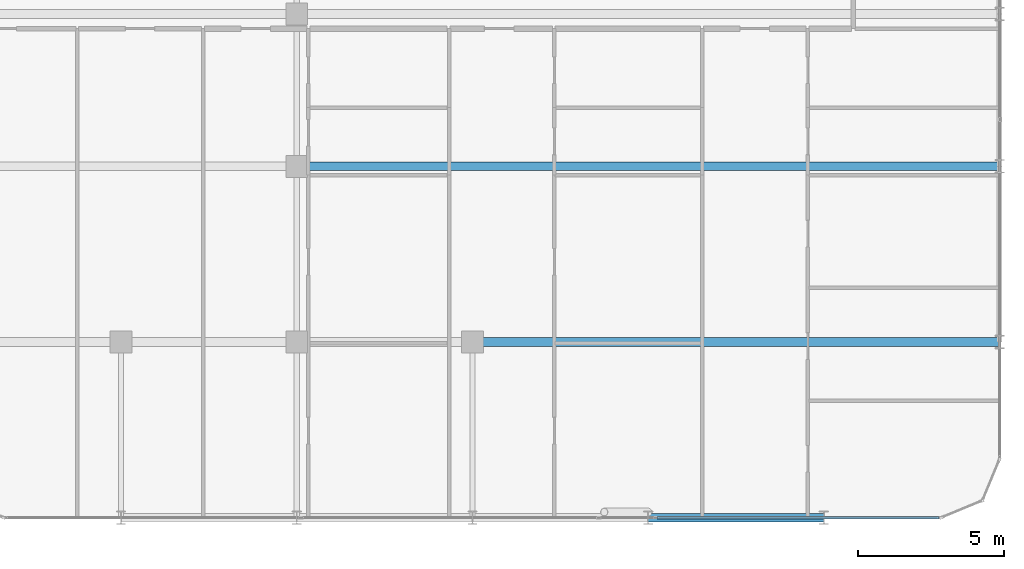
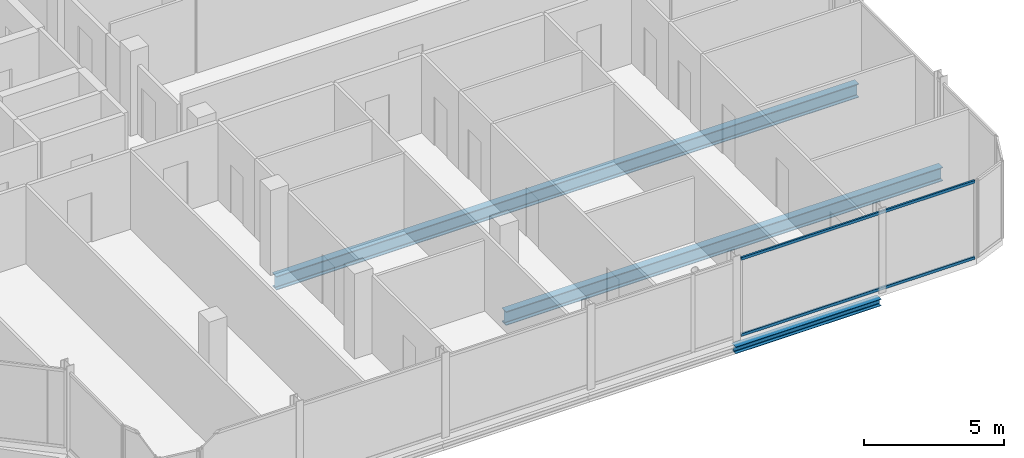
# One storey, part 11 of 29: 3 beams, 2 members, 1 element without a shape of its own.
"""IFC4 building model written with IfcOpenShell, lengths in metres."""

from ifc_helpers import new_model, si_unit, direction, frame, origin, origin_2d, place, context, subcontext, project, spatial, hollow_rectangle, i_section, extrude, material, layer, layer_set, material_profile, profile_set, type_object, element, aggregate, save


model = new_model("IFC4")

# Units and contexts
model_context = context("Model", 3, precision=1e-05, world=origin(), true_north=direction((0.0, 1.0)))
body_context = subcontext(model_context, "Body", "Model", "MODEL_VIEW")
ifc_project = project(units=[si_unit("LENGTHUNIT", "METRE"), si_unit("AREAUNIT", "SQUARE_METRE"), si_unit("VOLUMEUNIT", "CUBIC_METRE"), si_unit("PLANEANGLEUNIT", "RADIAN"), si_unit("MASSUNIT", "GRAM", prefix="KILO")], contexts=[model_context])

# Site, building, storey
site_placement = place(None, origin())
site = spatial("IfcSite", under=ifc_project, at=site_placement, CompositionType="ELEMENT")
building_placement = place(site_placement, origin())
building = spatial("IfcBuilding", under=site, at=building_placement, Name="Keshet Zoharim Tower", CompositionType="ELEMENT")
storey_placement = place(building_placement, frame((0.0, 0.0, 230.199951171875)))
storey = spatial("IfcBuildingStorey", under=building, at=storey_placement, Name="L57", CompositionType="ELEMENT", Elevation=230.199951171875)

# Beams
ifc_material_1 = material(Name="Steel S355", Category="steel")
ifc_material_profile_1 = material_profile(ifc_material_1, i_section(OverallWidth=0.300048828125, OverallDepth=0.60009765625, WebThickness=0.015380859375, FlangeThickness=0.030029296875, FilletRadius=0.027099609375, at=origin_2d()), Name="HEB600")
ifc_profile_set_1 = profile_set([ifc_material_profile_1], Name="Steel S355")
beam_type_1 = type_object("IfcBeamType", Name="BM-LNG-HB600", PredefinedType="BEAM", material=ifc_profile_set_1)
beam_1_placement = place(storey_placement, frame((39.0, 6.699951171875, -0.60986328125), z_axis=(1.0, 0.0, 0.0), x_axis=(0.0, 1.0, 0.0)))
element("IfcBeam", 1, at=beam_1_placement, inside=storey, type_object=beam_type_1, Name="L57 Primary Girder X-008", PredefinedType="BEAM", context=body_context, shape_type="SweptSolid", body=[
    extrude(i_section(OverallWidth=0.300048828125, OverallDepth=0.60009765625, WebThickness=0.015380859375, FlangeThickness=0.030029296875, FilletRadius=0.027099609375, at=origin_2d()), origin(), (0.0, 0.0, 1.0), 18.0),
])
beam_2_placement = place(storey_placement, frame((33.0, 12.699951171875, -0.60986328125), z_axis=(1.0, 0.0, 0.0), x_axis=(0.0, 1.0, 0.0)))
element("IfcBeam", 2, at=beam_2_placement, inside=storey, type_object=beam_type_1, Name="L57 Primary Girder X-010", PredefinedType="BEAM", context=body_context, shape_type="SweptSolid", body=[
    extrude(i_section(OverallWidth=0.300048828125, OverallDepth=0.60009765625, WebThickness=0.015380859375, FlangeThickness=0.030029296875, FilletRadius=0.027099609375, at=origin_2d()), origin(), (0.0, 0.0, 1.0), 24.0),
])
ifc_material_profile_2 = material_profile(ifc_material_1, i_section(OverallWidth=0.300048828125, OverallDepth=0.300048828125, WebThickness=0.010986328125, FlangeThickness=0.01904296875, FilletRadius=0.027099609375, at=origin_2d()), Name="HEB300")
ifc_profile_set_2 = profile_set([ifc_material_profile_2], Name="Steel S355")
beam_type_2 = type_object("IfcBeamType", Name="BM-PRI-HB300", PredefinedType="BEAM", material=ifc_profile_set_2)
beam_3_placement = place(storey_placement, frame((45.0, 0.699951171875, -0.4599609375), z_axis=(1.0, 0.0, 0.0), x_axis=(0.0, 1.0, 0.0)))
element("IfcBeam", 3, at=beam_3_placement, inside=storey, type_object=beam_type_2, Name="L57 Primary Girder X-004", PredefinedType="BEAM", context=body_context, shape_type="SweptSolid", body=[
    extrude(i_section(OverallWidth=0.300048828125, OverallDepth=0.300048828125, WebThickness=0.010986328125, FlangeThickness=0.01904296875, FilletRadius=0.027099609375, at=origin_2d()), origin(), (0.0, 0.0, 1.0), 6.0),
])

# Curtain wall, members
ifc_material_2 = material(Name="Aluminium 6063-T6", Category="aluminium")
ifc_layer = layer(ifc_material_2, 0.139892578125)
ifc_layer_set = layer_set([ifc_layer], Name="Aluminium 6063-T6")
curtain_wall_type = type_object("IfcCurtainWallType", Name="CW-SYS-05", PredefinedType="NOTDEFINED", material=ifc_layer_set)
curtain_wall_placement = place(storey_placement, origin())
curtain_wall = element("IfcCurtainWall", 4, at=curtain_wall_placement, inside=storey, type_object=curtain_wall_type, Name="L57 Unitised Curtain Wall 06", PredefinedType="NOTDEFINED")
ifc_material_profile_3 = material_profile(ifc_material_2, hollow_rectangle(XDim=0.074951171875, YDim=0.1201171875, WallThickness=0.00390625, at=origin_2d()), Name="TRN-75x120")
ifc_profile_set_3 = profile_set([ifc_material_profile_3], Name="Aluminium 6063-T6")
member_type = type_object("IfcMemberType", Name="CWT-T12", PredefinedType="USERDEFINED", material=ifc_profile_set_3)
member_1_placement = place(storey_placement, frame((54.929931640625, 0.699951171875, 0.03515625), z_axis=(-1.0, 0.0, 0.0), x_axis=(0.0, -1.0, 0.0)))
member_1 = element("IfcMember", 5, at=member_1_placement, type_object=member_type, Name="CW-05 transom 1.1", ObjectType="TRANSOM", PredefinedType="USERDEFINED", context=body_context, shape_type="SweptSolid", body=[
    extrude(hollow_rectangle(XDim=0.074951171875, YDim=0.1201171875, WallThickness=0.00390625, at=origin_2d()), origin(), (0.0, 0.0, 1.0), 9.635009765625),
])
member_2_placement = place(storey_placement, frame((54.929931640625, 0.699951171875, 3.35498046875), z_axis=(-1.0, 0.0, 0.0), x_axis=(0.0, -1.0, 0.0)))
member_2 = element("IfcMember", 6, at=member_2_placement, type_object=member_type, Name="CW-05 transom 1.2", ObjectType="TRANSOM", PredefinedType="USERDEFINED", context=body_context, shape_type="SweptSolid", body=[
    extrude(hollow_rectangle(XDim=0.074951171875, YDim=0.1201171875, WallThickness=0.00390625, at=origin_2d()), origin(), (0.0, 0.0, 1.0), 9.635009765625),
])
aggregate(curtain_wall, [member_1, member_2])

save(model, "model.ifc")
